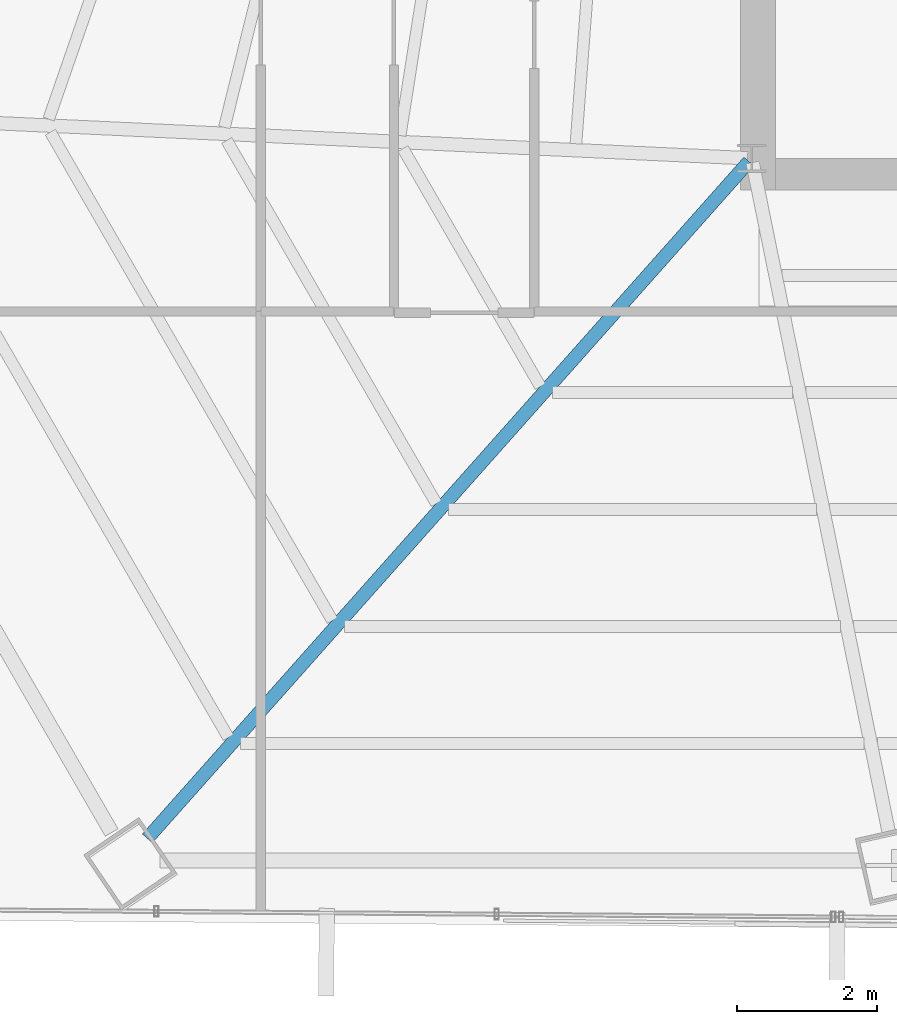
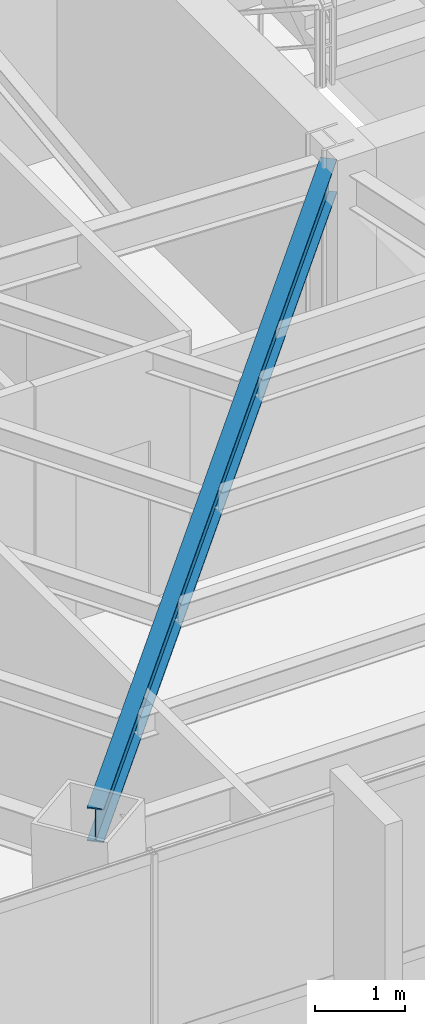
# One storey, part 5 of 38: 1 beam.
"""IFC4 building model written with IfcOpenShell, lengths in metres."""

from ifc_helpers import new_model, si_unit, direction, frame, origin, origin_2d, place, context, subcontext, project, spatial, i_section, extrude, source, transform, mapped, material, material_profile, profile_set, type_object, type_shapes, element, save


model = new_model("IFC4")

# Units and contexts
model_context = context("Model", 3, precision=1e-05, world=origin(), true_north=direction((0.0, 1.0)))
body_context = subcontext(model_context, "Body", "Model", "MODEL_VIEW")
ifc_project = project(units=[si_unit("LENGTHUNIT", "METRE"), si_unit("AREAUNIT", "SQUARE_METRE"), si_unit("VOLUMEUNIT", "CUBIC_METRE"), si_unit("PLANEANGLEUNIT", "RADIAN"), si_unit("MASSUNIT", "GRAM", prefix="KILO")], contexts=[model_context])

# Site, building, storey
site_placement = place(None, origin())
site = spatial("IfcSite", under=ifc_project, at=site_placement, CompositionType="ELEMENT")
building_placement = place(site_placement, origin())
building = spatial("IfcBuilding", under=site, at=building_placement, Name="Caelisora Broadcast Tower", CompositionType="ELEMENT")
storey_placement = place(building_placement, frame((0.0, 0.0, 154.85009765625)))
storey = spatial("IfcBuildingStorey", under=building, at=storey_placement, Name="L40", CompositionType="ELEMENT", Elevation=154.85009765625)

# Beam
ifc_material = material(Name="Steel Grade 350 (AS/NZS 3679.1)", Category="steel")
ifc_material_profile = material_profile(ifc_material, i_section(OverallWidth=0.19091796875, OverallDepth=0.46044921875, WebThickness=0.010009765625, FlangeThickness=0.01611328125, at=origin_2d()), Name="Steel Grade 350 (AS/NZS 3679.1)")
ifc_profile_set = profile_set([ifc_material_profile], Name="Steel Grade 350 (AS/NZS 3679.1)")
beam_type = type_object("IfcBeamType", Name="PG06", PredefinedType="BEAM", material=ifc_profile_set)
shared_shape = source(origin(), body_context, "Body", "SweptSolid", [
    extrude(i_section(OverallWidth=0.19091796875, OverallDepth=0.46044921875, WebThickness=0.010009765625, FlangeThickness=0.01611328125, at=origin_2d()), origin(), (0.0, 0.0, 1.0), 12.9091796875),
])
type_shapes(beam_type, [shared_shape])
beam_placement = place(storey_placement, frame((30.460205078125, 17.355224609375, 3.169677734375), z_axis=(-0.664365012687, -0.747408275254, 0.0), x_axis=(0.747408275254, -0.664365012687, 0.0)))
element("IfcBeam", 1, at=beam_placement, inside=storey, type_object=beam_type, Name="L40 beam PG06", PredefinedType="BEAM", context=body_context, shape_type="MappedRepresentation", body=[
    mapped(shared_shape, transform((0.0, 0.0, 0.0), scale=1.0)),
])

save(model, "model.ifc")
